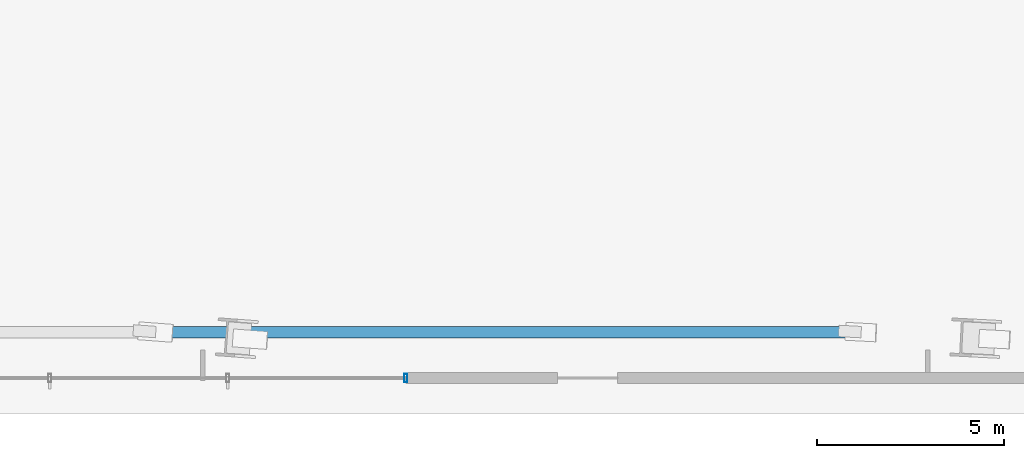
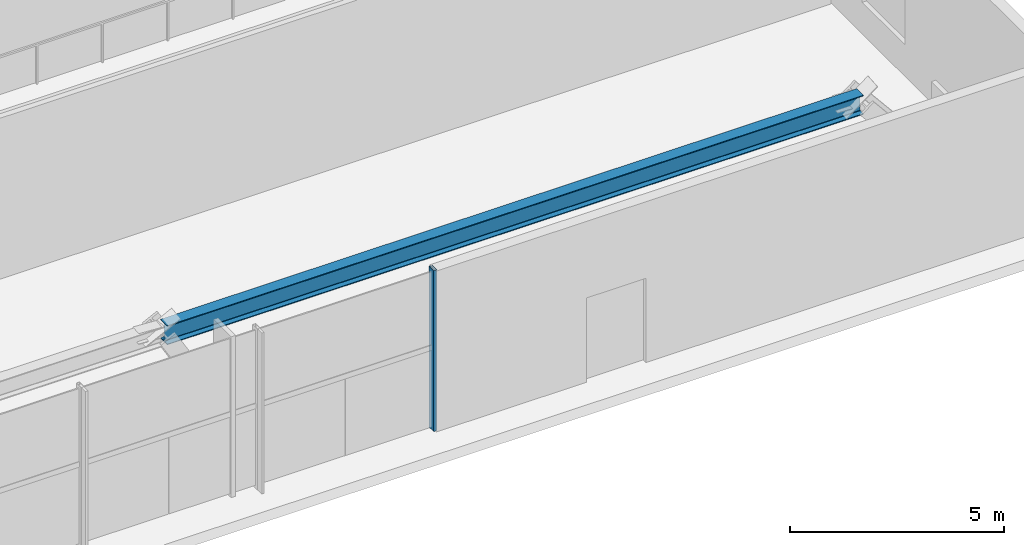
# One storey, part 19 of 31: 1 beam, 1 member, 1 element without a shape of its own.
"""IFC4 building model written with IfcOpenShell, lengths in metres."""

from ifc_helpers import new_model, si_unit, direction, frame, origin, origin_2d, place, context, subcontext, project, spatial, hollow_rectangle, i_section, extrude, source, transform, mapped, material, material_profile, profile_set, type_object, type_shapes, element, aggregate, save


model = new_model("IFC4")

# Units and contexts
model_context = context("Model", 3, precision=1e-05, world=origin(), true_north=direction((0.0, 1.0)))
body_context = subcontext(model_context, "Body", "Model", "MODEL_VIEW")
ifc_project = project(units=[si_unit("LENGTHUNIT", "METRE"), si_unit("AREAUNIT", "SQUARE_METRE"), si_unit("VOLUMEUNIT", "CUBIC_METRE"), si_unit("PLANEANGLEUNIT", "RADIAN"), si_unit("MASSUNIT", "GRAM", prefix="KILO")], contexts=[model_context])

# Site, building, storey
site_placement = place(None, origin())
site = spatial("IfcSite", under=ifc_project, at=site_placement, CompositionType="ELEMENT")
building_placement = place(site_placement, origin())
building = spatial("IfcBuilding", under=site, at=building_placement, Name="Astriad Promenade Condominiums", CompositionType="ELEMENT")
storey_placement = place(building_placement, origin())
storey = spatial("IfcBuildingStorey", under=building, at=storey_placement, Name="L00", CompositionType="ELEMENT", Elevation=0.0)

# Beam
ifc_material_1 = material(Name="Steel ASTM A992 Grade 50", Category="steel")
ifc_material_profile_1 = material_profile(ifc_material_1, i_section(OverallWidth=0.3134765625, OverallDepth=0.54638671875, WebThickness=0.013916015625, FlangeThickness=0.022216796875, FilletRadius=0.0166015625, at=origin_2d()), Name="W21X111")
ifc_profile_set_1 = profile_set([ifc_material_profile_1], Name="Steel ASTM A992 Grade 50")
beam_type = type_object("IfcBeamType", Name="STEEL SPANDREL BEAM W21X111", PredefinedType="SPANDREL", material=ifc_profile_set_1)
shared_shape_1 = source(origin(), body_context, "Body", "SweptSolid", [
    extrude(i_section(OverallWidth=0.3134765625, OverallDepth=0.54638671875, WebThickness=0.013916015625, FlangeThickness=0.022216796875, FilletRadius=0.0166015625, at=origin_2d()), origin(), (0.0, 0.0, 1.0), 18.74853515625),
])
type_shapes(beam_type, [shared_shape_1])
beam_placement = place(storey_placement, frame((59.4580078125, 2.168212890625, 4.306884765625), z_axis=(1.0, 0.0, 0.0), x_axis=(0.0, 1.0, 0.0)))
element("IfcBeam", 1, at=beam_placement, inside=storey, type_object=beam_type, Name="Perimeter Spandrel Beam SP-S4-L00", PredefinedType="SPANDREL", context=body_context, shape_type="MappedRepresentation", body=[
    mapped(shared_shape_1, transform((0.0, 0.0, 0.0), scale=1.0)),
])

# Curtain wall, member
ifc_material_2 = material(Name="Anodised aluminium Black Dark Glass Unitised", Category="aluminium")
curtain_wall_type = type_object("IfcCurtainWallType", Name="CW-POD-DARK", PredefinedType="USERDEFINED", material=ifc_material_2)
curtain_wall_placement = place(storey_placement, origin())
curtain_wall = element("IfcCurtainWall", 2, at=curtain_wall_placement, inside=storey, type_object=curtain_wall_type, Name="CW-L00-SE", ObjectType="UNITISED_CURTAIN_WALL", PredefinedType="USERDEFINED")
ifc_material_3 = material(Name="Anodised aluminium 6063-T6 Black", Category="aluminium")
ifc_material_profile_2 = material_profile(ifc_material_3, hollow_rectangle(XDim=0.0849609375, YDim=0.219970703125, WallThickness=0.0048828125, at=origin_2d()), Name="ALU-MUL-85X220")
ifc_profile_set_2 = profile_set([ifc_material_profile_2], Name="Anodised aluminium 6063-T6 Black")
member_type = type_object("IfcMemberType", Name="MUL-ALU-MUL-85X220", PredefinedType="MULLION", material=ifc_profile_set_2)
shared_shape_2 = source(origin(), body_context, "Body", "SweptSolid", [
    extrude(hollow_rectangle(XDim=0.0849609375, YDim=0.219970703125, WallThickness=0.0048828125, at=origin_2d()), origin(), (0.0, 0.0, 1.0), 4.580078125),
])
type_shapes(member_type, [shared_shape_2])
member_placement = place(storey_placement, frame((66.0, 0.949951171875, 0.0), z_axis=(0.0, 0.0, 1.0), x_axis=(1.0, 0.0, 0.0)))
member = element("IfcMember", 3, at=member_placement, type_object=member_type, Name="CW-L00-SE-MUL-00", PredefinedType="MULLION", context=body_context, shape_type="MappedRepresentation", body=[
    mapped(shared_shape_2, transform((0.0, 0.0, 0.0), scale=1.0)),
])
aggregate(curtain_wall, [member])

save(model, "model.ifc")
